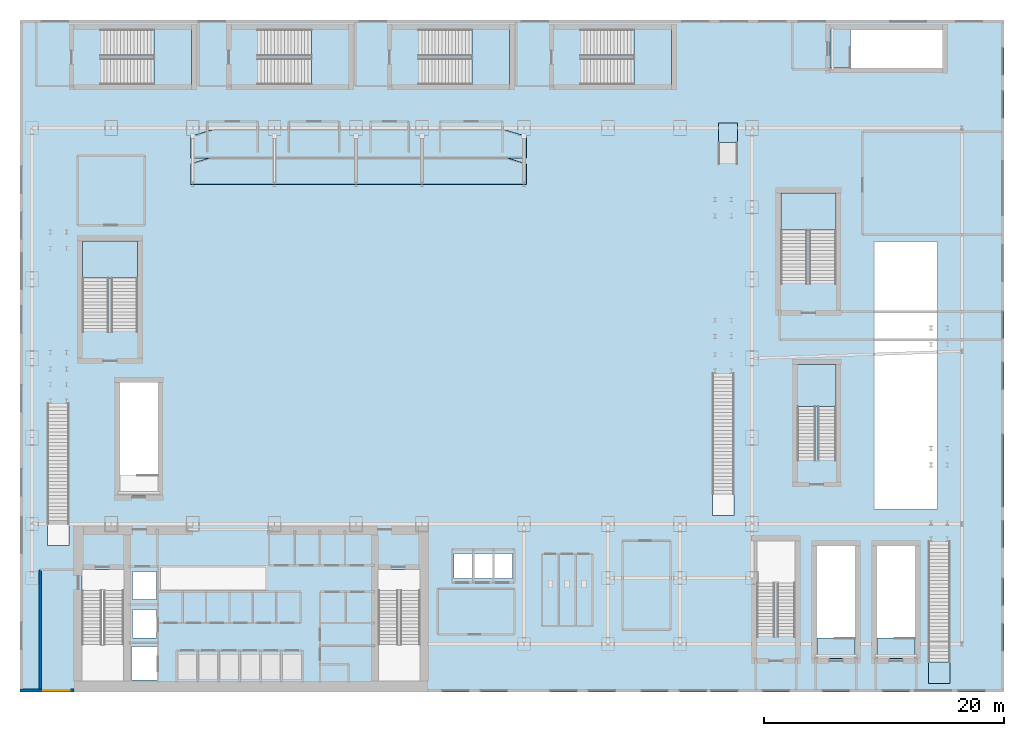
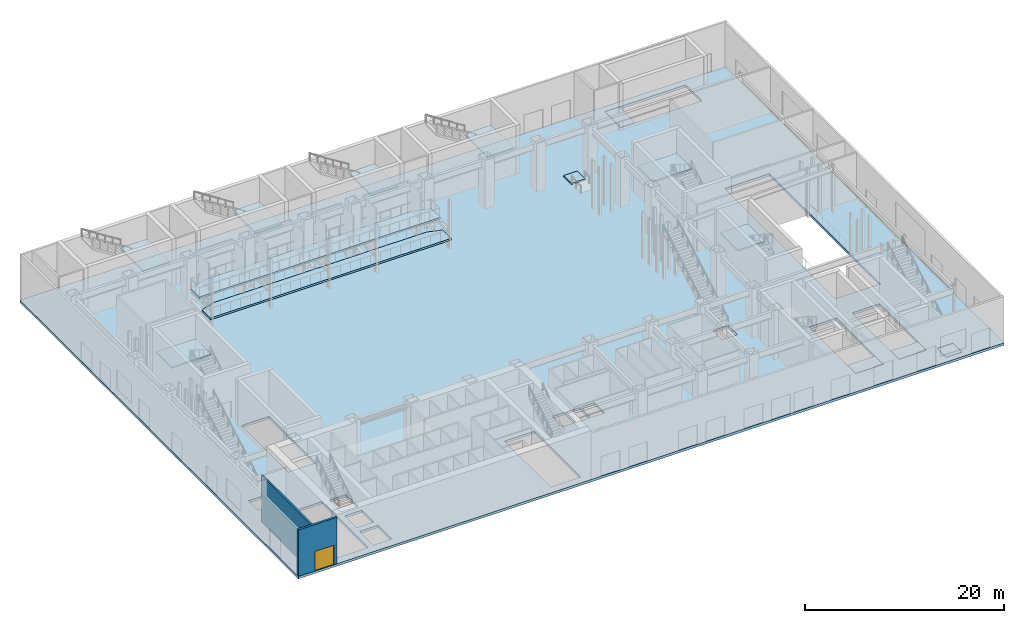
# One storey, part 8 of 25: 15 slabs, 2 walls, 1 door, 1 opening, 9 elements without a shape of their own.
"""IFC4 building model written with IfcOpenShell, lengths in metres."""

from ifc_helpers import new_model, si_unit, derived_unit, direction, frame, frame_2d, origin, place, context, subcontext, project, spatial, polyline, rectangle, outline, extrude, source, transform, mapped, material, layer, layer_set, type_object, element, fill, aggregate, save


model = new_model("IFC4")

# Units and contexts
model_context = context("Model", 3, precision=1e-05, world=origin(), true_north=direction((0.0, 1.0)))
body_context = subcontext(model_context, "Body", "Model", "MODEL_VIEW")
ifc_project = project(units=[si_unit("LENGTHUNIT", "METRE"), si_unit("AREAUNIT", "SQUARE_METRE"), si_unit("VOLUMEUNIT", "CUBIC_METRE"), si_unit("PLANEANGLEUNIT", "RADIAN"), si_unit("MASSUNIT", "GRAM", prefix="KILO"), derived_unit("THERMALTRANSMITTANCEUNIT", [(si_unit("POWERUNIT", "WATT"), 1), (si_unit("LENGTHUNIT", "METRE"), -2), (si_unit("THERMODYNAMICTEMPERATUREUNIT", "KELVIN"), -1)])], contexts=[model_context])

# Site, building, storey
site_placement = place(None, origin())
site = spatial("IfcSite", under=ifc_project, at=site_placement, CompositionType="ELEMENT")
building_placement = place(site_placement, origin())
building = spatial("IfcBuilding", under=site, at=building_placement, Name="Skarnbrae Concourse Arena and Tower", CompositionType="ELEMENT")
storey_placement = place(building_placement, origin())
storey = spatial("IfcBuildingStorey", under=building, at=storey_placement, Name="L00", CompositionType="ELEMENT", Elevation=0.0)

# Stair, slab
ifc_material_1 = material(Name="Concrete 40 MPa (C40/50)", Category="concrete")
stair_type_1 = type_object("IfcStairType", Name="STAIR-DOGLEG-1500", PredefinedType="HALF_TURN_STAIR", material=ifc_material_1)
stair_1_placement = place(storey_placement, origin())
stair_1 = element("IfcStair", 1, at=stair_1_placement, inside=storey, type_object=stair_type_1, Name="L00 Arena Exit Stair ST-A2", PredefinedType="HALF_TURN_STAIR")
ifc_layer_1 = layer(ifc_material_1, 0.199951171875)
ifc_layer_set_1 = layer_set([ifc_layer_1], Name="Concrete 40 MPa (C40/50)")
slab_type_1 = type_object("IfcSlabType", Name="SLAB-LANDING-200", PredefinedType="LANDING", material=ifc_layer_set_1)
slab_1_placement = place(storey_placement, frame((0.0, 0.0, 2.800048828125)))
slab_1 = element("IfcSlab", 2, at=slab_1_placement, type_object=slab_type_1, Name="ST-A2 landing 1", PredefinedType="LANDING", context=body_context, shape_type="SweptSolid", body=[
    extrude(outline(polyline([(68.0, 23.780029296875), (68.0, 27.300048828125), (64.800048828125, 27.300048828125), (64.800048828125, 23.780029296875), (68.0, 23.780029296875)])), origin(), (0.0, 0.0, 1.0), 0.199951171875),
])
aggregate(stair_1, [slab_1])

stair_type_2 = type_object("IfcStairType", Name="STAIR-DOGLEG-2200", PredefinedType="HALF_TURN_STAIR", material=ifc_material_1)
stair_2_placement = place(storey_placement, origin())
stair_2 = element("IfcStair", 3, at=stair_2_placement, inside=storey, type_object=stair_type_2, Name="L00 Arena Exit Stair ST-A3", PredefinedType="HALF_TURN_STAIR")
slab_2_placement = place(storey_placement, frame((0.0, 0.0, 2.800048828125)))
slab_2 = element("IfcSlab", 4, at=slab_2_placement, type_object=slab_type_1, Name="ST-A3 landing 1", PredefinedType="LANDING", context=body_context, shape_type="SweptSolid", body=[
    extrude(outline(polyline([(9.800048828125, 34.47998046875), (9.800048828125, 37.60009765625), (5.199951171875, 37.60009765625), (5.199951171875, 34.47998046875), (9.800048828125, 34.47998046875)])), origin(), (0.0, 0.0, 1.0), 0.199951171875),
])
aggregate(stair_2, [slab_2])

stair_3_placement = place(storey_placement, origin())
stair_3 = element("IfcStair", 5, at=stair_3_placement, inside=storey, type_object=stair_type_2, Name="L00 Arena Exit Stair ST-A4", PredefinedType="HALF_TURN_STAIR")
slab_3_placement = place(storey_placement, frame((0.0, 0.0, 2.800048828125)))
slab_3 = element("IfcSlab", 6, at=slab_3_placement, type_object=slab_type_1, Name="ST-A4 landing 1", PredefinedType="LANDING", context=body_context, shape_type="SweptSolid", body=[
    extrude(outline(polyline([(68.0, 38.47998046875), (68.0, 41.60009765625), (63.39990234375, 41.60009765625), (63.39990234375, 38.47998046875), (68.0, 38.47998046875)])), origin(), (0.0, 0.0, 1.0), 0.199951171875),
])
aggregate(stair_3, [slab_3])

stair_4_placement = place(storey_placement, origin())
stair_4 = element("IfcStair", 7, at=stair_4_placement, inside=storey, type_object=stair_type_2, Name="L00 Arena Exit Stair ST-A5", PredefinedType="HALF_TURN_STAIR")
slab_4_placement = place(storey_placement, frame((0.0, 0.0, 2.800048828125)))
slab_4 = element("IfcSlab", 8, at=slab_4_placement, type_object=slab_type_1, Name="ST-A5 landing 1", PredefinedType="LANDING", context=body_context, shape_type="SweptSolid", body=[
    extrude(outline(polyline([(11.179931640625, 50.60009765625), (14.300048828125, 50.60009765625), (14.300048828125, 55.199951171875), (11.179931640625, 55.199951171875), (11.179931640625, 50.60009765625)])), origin(), (0.0, 0.0, 1.0), 0.199951171875),
])
aggregate(stair_4, [slab_4])

stair_5_placement = place(storey_placement, origin())
stair_5 = element("IfcStair", 9, at=stair_5_placement, inside=storey, type_object=stair_type_2, Name="L00 Arena Exit Stair ST-A6", PredefinedType="HALF_TURN_STAIR")
slab_5_placement = place(storey_placement, frame((0.0, 0.0, 2.800048828125)))
slab_5 = element("IfcSlab", 10, at=slab_5_placement, type_object=slab_type_1, Name="ST-A6 landing 1", PredefinedType="LANDING", context=body_context, shape_type="SweptSolid", body=[
    extrude(outline(polyline([(24.280029296875, 50.60009765625), (27.39990234375, 50.60009765625), (27.39990234375, 55.199951171875), (24.280029296875, 55.199951171875), (24.280029296875, 50.60009765625)])), origin(), (0.0, 0.0, 1.0), 0.199951171875),
])
aggregate(stair_5, [slab_5])

stair_6_placement = place(storey_placement, origin())
stair_6 = element("IfcStair", 11, at=stair_6_placement, inside=storey, type_object=stair_type_2, Name="L00 Arena Exit Stair ST-A7", PredefinedType="HALF_TURN_STAIR")
slab_6_placement = place(storey_placement, frame((0.0, 0.0, 2.800048828125)))
slab_6 = element("IfcSlab", 12, at=slab_6_placement, type_object=slab_type_1, Name="ST-A7 landing 1", PredefinedType="LANDING", context=body_context, shape_type="SweptSolid", body=[
    extrude(outline(polyline([(37.679931640625, 50.60009765625), (40.800048828125, 50.60009765625), (40.800048828125, 55.199951171875), (37.679931640625, 55.199951171875), (37.679931640625, 50.60009765625)])), origin(), (0.0, 0.0, 1.0), 0.199951171875),
])
aggregate(stair_6, [slab_6])

stair_7_placement = place(storey_placement, origin())
stair_7 = element("IfcStair", 13, at=stair_7_placement, inside=storey, type_object=stair_type_2, Name="L00 Arena Exit Stair ST-A8", PredefinedType="HALF_TURN_STAIR")
slab_7_placement = place(storey_placement, frame((0.0, 0.0, 2.800048828125)))
slab_7 = element("IfcSlab", 14, at=slab_7_placement, type_object=slab_type_1, Name="ST-A8 landing 1", PredefinedType="LANDING", context=body_context, shape_type="SweptSolid", body=[
    extrude(outline(polyline([(51.179931640625, 50.60009765625), (54.300048828125, 50.60009765625), (54.300048828125, 55.199951171875), (51.179931640625, 55.199951171875), (51.179931640625, 50.60009765625)])), origin(), (0.0, 0.0, 1.0), 0.199951171875),
])
aggregate(stair_7, [slab_7])

# Slabs
slab_8_placement = place(storey_placement, frame((0.0, 0.0, -0.199951171875)))
element("IfcSlab", 15, at=slab_8_placement, inside=storey, type_object=slab_type_1, Name="L00 Stair ST-B1 near floor landing", PredefinedType="LANDING", context=body_context, shape_type="SweptSolid", body=[
    extrude(outline(polyline([(69.60009765625, 2.800048828125), (69.60009765625, 4.5), (66.39990234375, 4.5), (66.39990234375, 2.800048828125), (69.60009765625, 2.800048828125)])), origin(), (0.0, 0.0, 1.0), 0.199951171875),
])
slab_9_placement = place(storey_placement, frame((0.0, 0.0, -0.199951171875)))
element("IfcSlab", 16, at=slab_9_placement, inside=storey, type_object=slab_type_1, Name="L00 Stair ST-B2 near floor landing", PredefinedType="LANDING", context=body_context, shape_type="SweptSolid", body=[
    extrude(outline(polyline([(74.60009765625, 2.800048828125), (74.60009765625, 4.5), (71.39990234375, 4.5), (71.39990234375, 2.800048828125), (74.60009765625, 2.800048828125)])), origin(), (0.0, 0.0, 1.0), 0.199951171875),
])
slab_10_placement = place(storey_placement, frame((0.0, 0.0, -0.199951171875)))
element("IfcSlab", 17, at=slab_10_placement, inside=storey, type_object=slab_type_1, Name="L00 Stair ST-B4 near floor landing", PredefinedType="LANDING", context=body_context, shape_type="SweptSolid", body=[
    extrude(outline(polyline([(67.5, 52.0), (69.199951171875, 52.0), (69.199951171875, 55.199951171875), (67.5, 55.199951171875), (67.5, 52.0)])), origin(), (0.0, 0.0, 1.0), 0.199951171875),
])

# Stair, slab
stair_type_3 = type_object("IfcStairType", Name="STAIR-STRAIGHT-1800", PredefinedType="STRAIGHT_RUN_STAIR", material=ifc_material_1)
stair_8_placement = place(storey_placement, origin())
stair_8 = element("IfcStair", 18, at=stair_8_placement, inside=storey, type_object=stair_type_3, Name="L00 Transit Concourse Straight Stair ST-CONC-1", PredefinedType="STRAIGHT_RUN_STAIR")
slab_11_placement = place(storey_placement, frame((0.0, 0.0, -0.199951171875)))
slab_11 = element("IfcSlab", 19, at=slab_11_placement, type_object=slab_type_1, Name="ST-CONC-1 L00 bottom landing", PredefinedType="LANDING", context=body_context, shape_type="SweptSolid", body=[
    extrude(outline(polyline([(75.699951171875, 0.699951171875), (77.5, 0.699951171875), (77.5, 2.5), (75.699951171875, 2.5), (75.699951171875, 0.699951171875)])), origin(), (0.0, 0.0, 1.0), 0.199951171875),
])
aggregate(stair_8, [slab_11])

# Ramp, slab
ramp_type = type_object("IfcRampType", Name="RAMP-ACC-1600", PredefinedType="STRAIGHT_RUN_RAMP", material=ifc_material_1)
ramp_placement = place(storey_placement, origin())
ramp = element("IfcRamp", 20, at=ramp_placement, inside=storey, type_object=ramp_type, Name="L00 Barrier-free accessible ramp R-A01", PredefinedType="STRAIGHT_RUN_RAMP")
slab_12_placement = place(storey_placement, origin())
slab_12 = element("IfcSlab", 21, at=slab_12_placement, type_object=slab_type_1, Name="L00 Accessible ramp top landing", PredefinedType="LANDING", context=body_context, shape_type="SweptSolid", body=[
    extrude(outline(polyline([(58.199951171875, 45.800048828125), (59.800048828125, 45.800048828125), (59.800048828125, 47.39990234375), (58.199951171875, 47.39990234375), (58.199951171875, 45.800048828125)])), origin(), (0.0, 0.0, 1.0), 0.139892578125),
])
aggregate(ramp, [slab_12])

# Slabs
ifc_layer_2 = layer(ifc_material_1, 0.300048828125)
ifc_layer_set_2 = layer_set([ifc_layer_2], Name="Concrete 40 MPa (C40/50)")
slab_type_2 = type_object("IfcSlabType", Name="SLAB-PODIUM-300", PredefinedType="FLOOR", material=ifc_layer_set_2)
slab_13_placement = place(storey_placement, frame((0.0, 0.0, -0.300048828125)))
element("IfcSlab", 22, at=slab_13_placement, inside=storey, type_object=slab_type_2, Name="L00 Structural floor slab", PredefinedType="FLOOR", context=body_context, shape_type="SweptSolid", body=[
    extrude(outline(polyline([(0.0, 0.0), (82.0, 0.0), (82.0, 56.0), (0.0, 56.0), (0.0, 0.0)]), holes=[polyline([(9.294921875, 3.780029296875), (11.455078125, 3.780029296875), (11.455078125, 1.02001953125), (9.294921875, 1.02001953125), (9.294921875, 3.780029296875)]), polyline([(8.64990234375, 10.199951171875), (8.64990234375, 0.89990234375), (5.14990234375, 0.89990234375), (5.14990234375, 10.199951171875), (8.64990234375, 10.199951171875)]), polyline([(33.35009765625, 10.199951171875), (33.35009765625, 0.89990234375), (29.85009765625, 0.89990234375), (29.85009765625, 10.199951171875), (33.35009765625, 10.199951171875)]), polyline([(9.39501953125, 6.8798828125), (11.35498046875, 6.8798828125), (11.35498046875, 4.52001953125), (9.39501953125, 4.52001953125), (9.39501953125, 6.8798828125)]), polyline([(9.39501953125, 10.054931640625), (11.35498046875, 10.054931640625), (11.35498046875, 7.695068359375), (9.39501953125, 7.695068359375), (9.39501953125, 10.054931640625)]), polyline([(36.159912109375, 11.530029296875), (37.679931640625, 11.530029296875), (37.679931640625, 9.469970703125), (36.159912109375, 9.469970703125), (36.159912109375, 11.530029296875)]), polyline([(2.300048828125, 14.02001953125), (4.10009765625, 14.02001953125), (4.10009765625, 12.199951171875), (2.300048828125, 12.199951171875), (2.300048828125, 14.02001953125)]), polyline([(8.300048828125, 16.39990234375), (8.300048828125, 25.800048828125), (11.5, 25.800048828125), (11.5, 16.39990234375), (8.300048828125, 16.39990234375)]), polyline([(75.699951171875, 2.52001953125), (77.5, 2.52001953125), (77.5, 0.699951171875), (75.699951171875, 0.699951171875), (75.699951171875, 2.52001953125)]), polyline([(66.39990234375, 2.800048828125), (66.39990234375, 12.199951171875), (69.60009765625, 12.199951171875), (69.60009765625, 2.800048828125), (66.39990234375, 2.800048828125)]), polyline([(71.39990234375, 2.800048828125), (71.39990234375, 12.199951171875), (74.60009765625, 12.199951171875), (74.60009765625, 2.800048828125), (71.39990234375, 2.800048828125)]), polyline([(37.840087890625, 11.530029296875), (39.360107421875, 11.530029296875), (39.360107421875, 9.469970703125), (37.840087890625, 9.469970703125), (37.840087890625, 11.530029296875)]), polyline([(39.52001953125, 11.530029296875), (41.0400390625, 11.530029296875), (41.0400390625, 9.469970703125), (39.52001953125, 9.469970703125), (39.52001953125, 11.530029296875)]), polyline([(57.699951171875, 16.52001953125), (59.5, 16.52001953125), (59.5, 14.699951171875), (57.699951171875, 14.699951171875), (57.699951171875, 16.52001953125)]), polyline([(71.199951171875, 37.5), (76.39990234375, 37.5), (76.39990234375, 15.199951171875), (71.199951171875, 15.199951171875), (71.199951171875, 37.5)]), polyline([(67.5, 55.199951171875), (76.89990234375, 55.199951171875), (76.89990234375, 52.0), (67.5, 52.0), (67.5, 55.199951171875)])]), origin(), (0.0, 0.0, 1.0), 0.300048828125),
])
ifc_layer_3 = layer(ifc_material_1, 0.219970703125)
ifc_layer_set_3 = layer_set([ifc_layer_3], Name="Concrete 40 MPa (C40/50)")
slab_type_3 = type_object("IfcSlabType", Name="SLAB-SEATING-TIER-220", PredefinedType="USERDEFINED", material=ifc_layer_set_3)
slab_14_placement = place(storey_placement, frame((0.0, 0.0, 0.89990234375)))
element("IfcSlab", 23, at=slab_14_placement, inside=storey, type_object=slab_type_3, Name="L00 Arena seating tier lower terrace", ObjectType="SEATING TIER", PredefinedType="USERDEFINED", context=body_context, shape_type="SweptSolid", body=[
    extrude(outline(polyline([(14.199951171875, 42.300048828125), (42.199951171875, 42.300048828125), (42.199951171875, 44.0), (40.60009765625, 44.5), (15.800048828125, 44.5), (14.199951171875, 44.0), (14.199951171875, 42.300048828125)])), origin(), (0.0, 0.0, 1.0), 0.22021484375),
])
slab_15_placement = place(storey_placement, frame((0.0, 0.0, 2.14990234375)))
element("IfcSlab", 24, at=slab_15_placement, inside=storey, type_object=slab_type_3, Name="L00 Arena seating tier upper terrace", ObjectType="SEATING TIER", PredefinedType="USERDEFINED", context=body_context, shape_type="SweptSolid", body=[
    extrude(outline(polyline([(14.199951171875, 44.5), (42.199951171875, 44.5), (42.199951171875, 46.300048828125), (40.199951171875, 46.89990234375), (16.199951171875, 46.89990234375), (14.199951171875, 46.300048828125), (14.199951171875, 44.5)])), origin(), (0.0, 0.0, 1.0), 0.22021484375),
])

# Wall, opening, door
ifc_material_2 = material(Name="Precast concrete 40 MPa (C40/50)", Category="concrete")
ifc_layer_4 = layer(ifc_material_2, 0.25)
ifc_layer_set_4 = layer_set([ifc_layer_4], Name="Precast concrete 40 MPa (C40/50)")
wall_type_1 = type_object("IfcWallType", Name="WALL-EXT-SPANDREL-250", PredefinedType="STANDARD", material=ifc_layer_set_4)
shared_shape_1 = source(origin(), body_context, "Body", "SweptSolid", [
    extrude(rectangle(XDim=4.5, YDim=0.25, at=frame_2d((2.25, 0.0))), origin(), (0.0, 0.0, 1.0), 5.699951171875),
])
wall_1_placement = place(storey_placement, frame((0.0, 0.125, 0.0), z_axis=(0.0, 0.0, 1.0), x_axis=(1.0, 0.0, 0.0)))
wall_1 = element("IfcWall", 25, at=wall_1_placement, inside=storey, type_object=wall_type_1, Name="L00 Podium exterior precast wall SW", PredefinedType="STANDARD", context=body_context, shape_type="MappedRepresentation", body=[
    mapped(shared_shape_1, transform((0.0, 0.0, 0.0))),
])
opening_placement = place(wall_1_placement, frame((1.949951171875, 0.0, 0.0)))
opening = element("IfcOpeningElement", 26, at=opening_placement, cuts=wall_1, Name="Opening DT-EX", PredefinedType="OPENING", context=body_context, shape_type="SweptSolid", body=[
    extrude(rectangle(XDim=2.199951171875, YDim=2.39990234375, at=frame_2d((1.10009765625, 1.199951171875))), frame((0.0, 0.135009765625, 0.0), z_axis=(0.0, -1.0, 0.0), x_axis=(1.0, 0.0, 0.0)), (0.0, 0.0, 1.0), 0.27001953125),
])
ifc_material_3 = material(Name="Bronze anodised aluminium 6063-T6", Category="aluminium")
door_type = type_object("IfcDoorType", Name="DOOR-EXIT-2200", OperationType="DOUBLE_DOOR_SINGLE_SWING", PredefinedType="DOOR", material=ifc_material_3)
shared_shape_2 = source(origin(), body_context, "Body", "SweptSolid", [
    extrude(rectangle(XDim=2.199951171875, YDim=2.39990234375, at=frame_2d((1.10009765625, 1.199951171875))), frame((0.0, 0.02490234375, 0.0), z_axis=(0.0, -1.0, 0.0), x_axis=(1.0, 0.0, 0.0)), (0.0, 0.0, 1.0), 0.050048828125),
])
door_placement = place(opening_placement, frame((2.199951171875, 0.0, 0.0), z_axis=(0.0, 0.0, 1.0), x_axis=(-1.0, 0.0, 0.0)))
door = element("IfcDoor", 27, at=door_placement, inside=storey, type_object=door_type, Name="D-0010 Final Exit EX-10", OperationType="DOUBLE_DOOR_SINGLE_SWING", OverallHeight=2.39990234375, OverallWidth=2.199951171875, PredefinedType="DOOR", context=body_context, shape_type="MappedRepresentation", body=[
    mapped(shared_shape_2, transform((0.0, 0.0, 0.0))),
])
fill(opening, door)

# Wall
ifc_material_4 = material(Name="Gypsum board on cold-formed steel studs", Category="steel")
ifc_layer_5 = layer(ifc_material_4, 0.199951171875)
ifc_layer_set_5 = layer_set([ifc_layer_5], Name="Gypsum board on cold-formed steel studs")
wall_type_2 = type_object("IfcWallType", Name="WALL-PART-200-2HR", PredefinedType="PARTITIONING", material=ifc_layer_set_5)
shared_shape_3 = source(origin(), body_context, "Body", "SweptSolid", [
    extrude(rectangle(XDim=9.97998046875, YDim=0.199951171875, at=frame_2d((4.989990234375, 0.0))), origin(), (0.0, 0.0, 1.0), 5.699951171875),
])
wall_2_placement = place(storey_placement, frame((1.699951171875, 0.199951171875, 0.0), z_axis=(0.0, 0.0, 1.0), x_axis=(0.0, 1.0, 0.0)))
element("IfcWall", 28, at=wall_2_placement, inside=storey, type_object=wall_type_2, Name="L00 Interior partition wall W-L00-PEX-ST-1-W", PredefinedType="PARTITIONING", context=body_context, shape_type="MappedRepresentation", body=[
    mapped(shared_shape_3, transform((0.0, 0.0, 0.0))),
])

save(model, "model.ifc")
